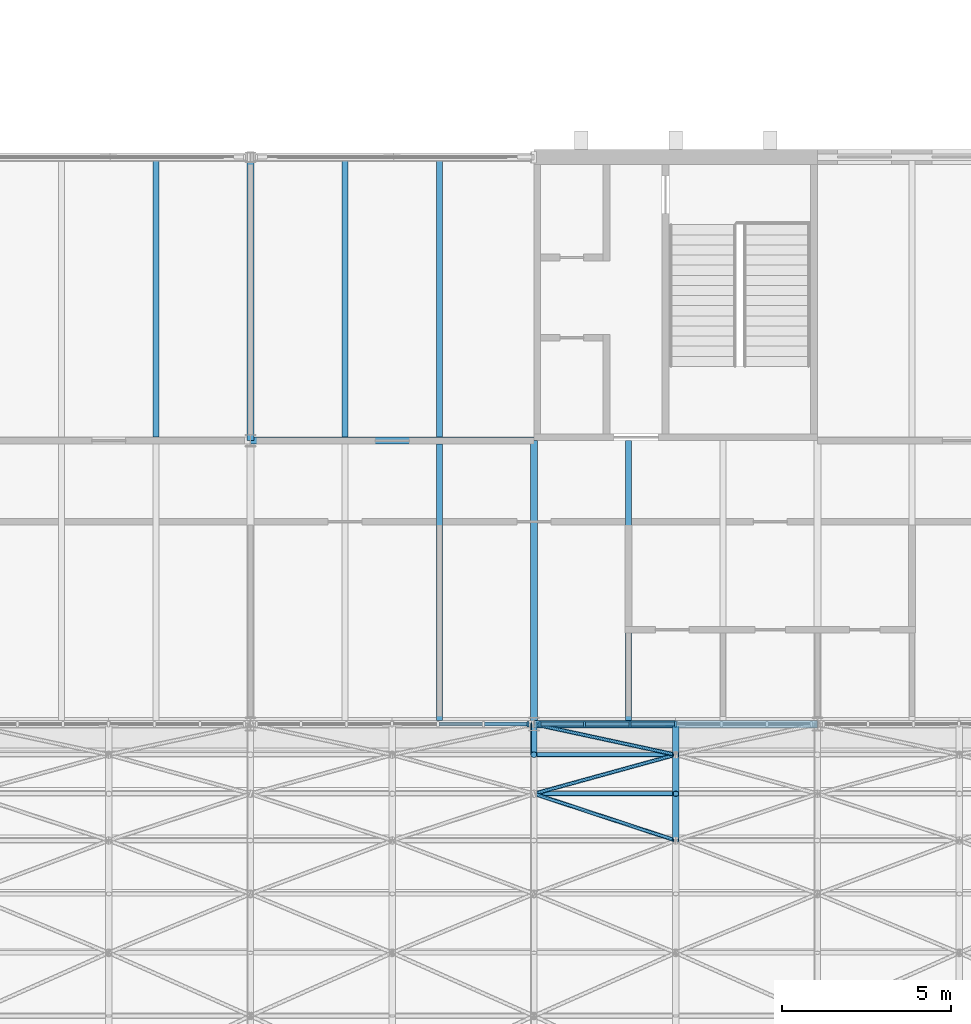
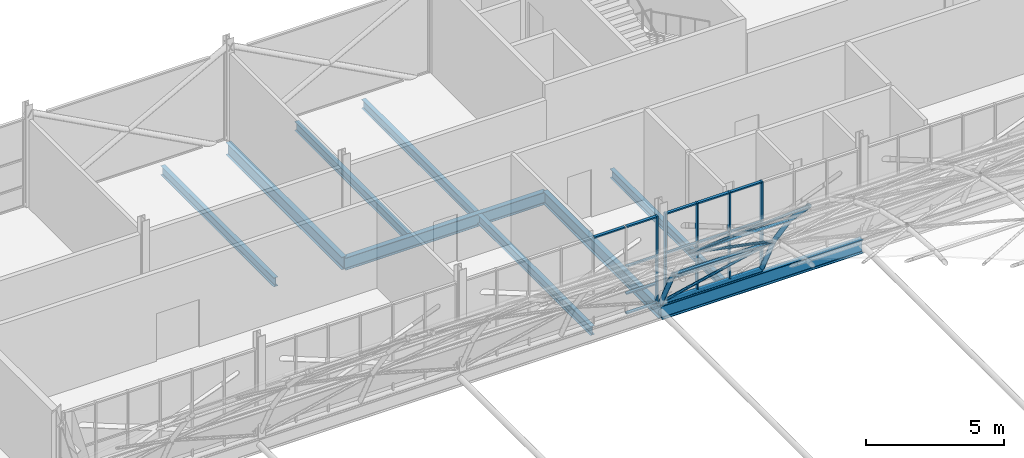
# One storey, part 48 of 121: 32 members, 9 beams, 2 elements without a shape of their own.
"""IFC4 building model written with IfcOpenShell, lengths in metres."""

from ifc_helpers import new_model, si_unit, direction, frame, origin, origin_2d, place, context, subcontext, project, spatial, rectangle, hollow_circle, i_section, extrude, material, layer, layer_set, material_profile, profile_set, type_object, element, aggregate, save


model = new_model("IFC4")

# Units and contexts
model_context = context("Model", 3, precision=1e-05, world=origin(), true_north=direction((0.0, 1.0)))
body_context = subcontext(model_context, "Body", "Model", "MODEL_VIEW")
ifc_project = project(units=[si_unit("LENGTHUNIT", "METRE"), si_unit("AREAUNIT", "SQUARE_METRE"), si_unit("VOLUMEUNIT", "CUBIC_METRE"), si_unit("PLANEANGLEUNIT", "RADIAN"), si_unit("MASSUNIT", "GRAM", prefix="KILO")], contexts=[model_context])

# Site, building, storey
site_placement = place(None, origin())
site = spatial("IfcSite", under=ifc_project, at=site_placement, CompositionType="ELEMENT")
building_placement = place(site_placement, origin())
building = spatial("IfcBuilding", under=site, at=building_placement, Name="Ardhachandra Cancer Care Centre", CompositionType="ELEMENT")
storey_placement = place(building_placement, frame((0.0, 0.0, 9.0)))
storey = spatial("IfcBuildingStorey", under=building, at=storey_placement, Name="L02", CompositionType="ELEMENT", Elevation=9.0)

# Beams
ifc_material_1 = material(Name="Steel E350 (IS 2062)", Category="steel")
ifc_material_profile_1 = material_profile(ifc_material_1, i_section(OverallWidth=0.179931640625, OverallDepth=0.39990234375, WebThickness=0.008544921875, FlangeThickness=0.013427734375, FilletRadius=0.02099609375, at=origin_2d()), Name="NPB 400x180x66.30")
ifc_profile_set_1 = profile_set([ifc_material_profile_1], Name="Steel E350 (IS 2062)")
beam_type_1 = type_object("IfcBeamType", Name="Beam NPB 400x180x66.30", PredefinedType="BEAM", material=ifc_profile_set_1)
for number, where, z_axis, x_axis, name in (
    (1, (58.39990234375, 88.304931640625, -0.35009765625), (0.0, 1.0, 0.0), (-1.0, 0.0, 0.0), "Secondary K6-L6@5600"),
    (2, (64.0, 88.304931640625, -0.35009765625), (0.0, 1.0, 0.0), (-1.0, 0.0, 0.0), "Secondary K7-L7@2800"),
):
    element("IfcBeam", number, at=place(storey_placement, frame(where, z_axis=z_axis, x_axis=x_axis)), inside=storey, type_object=beam_type_1, Name=name, PredefinedType="BEAM", context=body_context, shape_type="SweptSolid", body=[
        extrude(i_section(OverallWidth=0.179931640625, OverallDepth=0.39990234375, WebThickness=0.008544921875, FlangeThickness=0.013427734375, FilletRadius=0.02099609375, at=origin_2d()), origin(), (0.0, 0.0, 1.0), 8.195068359375),
    ])
beam_1_placement = place(storey_placement, frame((66.800048828125, 79.912109375, -0.35009765625), z_axis=(0.0, 1.0, 0.0), x_axis=(-1.0, 0.0, 0.0)))
element("IfcBeam", 3, at=beam_1_placement, inside=storey, type_object=beam_type_1, Name="Secondary J7-K7@5600", PredefinedType="BEAM", context=body_context, shape_type="SweptSolid", body=[
    extrude(i_section(OverallWidth=0.179931640625, OverallDepth=0.39990234375, WebThickness=0.008544921875, FlangeThickness=0.013427734375, FilletRadius=0.02099609375, at=origin_2d()), origin(), (0.0, 0.0, 1.0), 8.182861328125),
])
beam_2_placement = place(storey_placement, frame((66.800048828125, 88.304931640625, -0.35009765625), z_axis=(0.0, 1.0, 0.0), x_axis=(-1.0, 0.0, 0.0)))
element("IfcBeam", 4, at=beam_2_placement, inside=storey, type_object=beam_type_1, Name="Secondary K7-L7@5600", PredefinedType="BEAM", context=body_context, shape_type="SweptSolid", body=[
    extrude(i_section(OverallWidth=0.179931640625, OverallDepth=0.39990234375, WebThickness=0.008544921875, FlangeThickness=0.013427734375, FilletRadius=0.02099609375, at=origin_2d()), origin(), (0.0, 0.0, 1.0), 8.195068359375),
])
beam_3_placement = place(storey_placement, frame((72.39990234375, 79.912109375, -0.35009765625), z_axis=(0.0, 1.0, 0.0), x_axis=(-1.0, 0.0, 0.0)))
element("IfcBeam", 5, at=beam_3_placement, inside=storey, type_object=beam_type_1, Name="Secondary J8-K8@2800", PredefinedType="BEAM", context=body_context, shape_type="SweptSolid", body=[
    extrude(i_section(OverallWidth=0.179931640625, OverallDepth=0.39990234375, WebThickness=0.008544921875, FlangeThickness=0.013427734375, FilletRadius=0.02099609375, at=origin_2d()), origin(), (0.0, 0.0, 1.0), 8.287841796875),
])
ifc_material_2 = material(Name="Steel E350 (IS 2062)", Category="steel")
ifc_material_profile_2 = material_profile(ifc_material_2, i_section(OverallWidth=0.2099609375, OverallDepth=0.550048828125, WebThickness=0.010986328125, FlangeThickness=0.01708984375, FilletRadius=0.02392578125, at=origin_2d()), Name="NPB 550x210x105.52")
ifc_profile_set_2 = profile_set([ifc_material_profile_2], Name="Steel E350 (IS 2062)")
beam_type_2 = type_object("IfcBeamType", Name="Beam NPB 550x210x105.52", PredefinedType="BEAM", material=ifc_profile_set_2)
for number, where, z_axis, x_axis, name in (
    (6, (61.199951171875, 88.199951171875, -0.425048828125), (1.0, 0.0, 0.0), (0.0, 1.0, 0.0), "Girder K7-K8"),
    (7, (61.199951171875, 88.199951171875, -0.425048828125), (0.0, 1.0, 0.0), (-1.0, 0.0, 0.0), "Girder K7-L7"),
):
    element("IfcBeam", number, at=place(storey_placement, frame(where, z_axis=z_axis, x_axis=x_axis)), inside=storey, type_object=beam_type_2, Name=name, PredefinedType="BEAM", context=body_context, shape_type="SweptSolid", body=[
        extrude(i_section(OverallWidth=0.2099609375, OverallDepth=0.550048828125, WebThickness=0.010986328125, FlangeThickness=0.01708984375, FilletRadius=0.02392578125, at=origin_2d()), origin(), (0.0, 0.0, 1.0), 8.400146484375),
    ])
beam_4_placement = place(storey_placement, frame((69.60009765625, 79.800048828125, -0.425048828125), z_axis=(0.0, 1.0, 0.0), x_axis=(-1.0, 0.0, 0.0)))
element("IfcBeam", 8, at=beam_4_placement, inside=storey, type_object=beam_type_2, Name="Girder J8-K8", PredefinedType="BEAM", context=body_context, shape_type="SweptSolid", body=[
    extrude(i_section(OverallWidth=0.2099609375, OverallDepth=0.550048828125, WebThickness=0.010986328125, FlangeThickness=0.01708984375, FilletRadius=0.02392578125, at=origin_2d()), origin(), (0.0, 0.0, 1.0), 8.39990234375),
])
ifc_material_3 = material(Name="Steel E350 (IS 2062)", Category="steel")
ifc_material_profile_3 = material_profile(ifc_material_3, i_section(OverallWidth=0.22412109375, OverallDepth=0.610107421875, WebThickness=0.014892578125, FlangeThickness=0.02392578125, FilletRadius=0.02392578125, at=origin_2d()), Name="NPB 600x220x154.46")
ifc_profile_set_3 = profile_set([ifc_material_profile_3], Name="Steel E350 (IS 2062)")
beam_type_3 = type_object("IfcBeamType", Name="Beam NPB 600x220x154.46", PredefinedType="BEAM", material=ifc_profile_set_3)
beam_5_placement = place(storey_placement, frame((69.60009765625, 79.800048828125, -0.41455078125), z_axis=(1.0, 0.0, 0.0), x_axis=(0.0, 1.0, 0.0)))
element("IfcBeam", 9, at=beam_5_placement, inside=storey, type_object=beam_type_3, Name="Shell edge beam J8-J9", PredefinedType="BEAM", context=body_context, shape_type="SweptSolid", body=[
    extrude(i_section(OverallWidth=0.22412109375, OverallDepth=0.610107421875, WebThickness=0.014892578125, FlangeThickness=0.02392578125, FilletRadius=0.02392578125, at=origin_2d()), origin(), (0.0, 0.0, 1.0), 8.39990234375),
])

# Curtain wall, member
ifc_material_4 = material(Name="Aluminium extrusion", Category="aluminium")
ifc_layer = layer(ifc_material_4, 0.14990234375)
ifc_layer_set = layer_set([ifc_layer], Name="Aluminium extrusion")
curtain_wall_type = type_object("IfcCurtainWallType", Name="Curtain wall run", PredefinedType="NOTDEFINED", material=ifc_layer_set)
curtain_wall_1_placement = place(storey_placement, origin())
curtain_wall_1 = element("IfcCurtainWall", 10, at=curtain_wall_1_placement, inside=storey, type_object=curtain_wall_type, Name="Curtain wall L02 s/0061200_0079800", PredefinedType="NOTDEFINED")
ifc_material_5 = material(Name="Aluminium extrusion", Category="aluminium")
ifc_material_profile_4 = material_profile(ifc_material_5, rectangle(XDim=0.159912109375, YDim=0.06005859375, at=origin_2d()), Name="Curtain wall mullion 60 x 160")
ifc_profile_set_4 = profile_set([ifc_material_profile_4], Name="Aluminium extrusion")
member_type_1 = type_object("IfcMemberType", Name="Curtain wall mullion 60 x 160", PredefinedType="MULLION", material=ifc_profile_set_4)
member_1_placement = place(storey_placement, frame((69.419921875, 79.800048828125, 0.0), z_axis=(0.0, 0.0, 1.0), x_axis=(0.0, 1.0, 0.0)))
member_1 = element("IfcMember", 11, at=member_1_placement, type_object=member_type_1, Name="CW mullion 7", PredefinedType="MULLION", context=body_context, shape_type="SweptSolid", body=[
    extrude(rectangle(XDim=0.159912109375, YDim=0.06005859375, at=origin_2d()), origin(), (0.0, 0.0, 1.0), 3.885986328125),
])

# Curtain wall, members
curtain_wall_2_placement = place(storey_placement, origin())
curtain_wall_2 = element("IfcCurtainWall", 12, at=curtain_wall_2_placement, inside=storey, type_object=curtain_wall_type, Name="Curtain wall L02 s/0069600_0079800", PredefinedType="NOTDEFINED")
member_2_placement = place(storey_placement, frame((69.780029296875, 79.800048828125, 0.0), z_axis=(0.0, 0.0, 1.0), x_axis=(0.0, 1.0, 0.0)))
member_2 = element("IfcMember", 13, at=member_2_placement, type_object=member_type_1, Name="CW mullion 1", PredefinedType="MULLION", context=body_context, shape_type="SweptSolid", body=[
    extrude(rectangle(XDim=0.159912109375, YDim=0.06005859375, at=origin_2d()), origin(), (0.0, 0.0, 1.0), 3.885986328125),
])
member_3_placement = place(storey_placement, frame((71.10009765625, 79.800048828125, 0.0), z_axis=(0.0, 0.0, 1.0), x_axis=(0.0, 1.0, 0.0)))
member_3 = element("IfcMember", 14, at=member_3_placement, type_object=member_type_1, Name="CW mullion 2", PredefinedType="MULLION", context=body_context, shape_type="SweptSolid", body=[
    extrude(rectangle(XDim=0.159912109375, YDim=0.06005859375, at=origin_2d()), origin(), (0.0, 0.0, 1.0), 3.885986328125),
])
member_4_placement = place(storey_placement, frame((72.449951171875, 79.800048828125, 0.0), z_axis=(0.0, 0.0, 1.0), x_axis=(0.0, 1.0, 0.0)))
member_4 = element("IfcMember", 15, at=member_4_placement, type_object=member_type_1, Name="CW mullion 3", PredefinedType="MULLION", context=body_context, shape_type="SweptSolid", body=[
    extrude(rectangle(XDim=0.159912109375, YDim=0.06005859375, at=origin_2d()), origin(), (0.0, 0.0, 1.0), 3.885986328125),
])
member_5_placement = place(storey_placement, frame((73.800048828125, 79.800048828125, 0.0), z_axis=(0.0, 0.0, 1.0), x_axis=(0.0, 1.0, 0.0)))
member_5 = element("IfcMember", 16, at=member_5_placement, type_object=member_type_1, Name="CW mullion 4", PredefinedType="MULLION", context=body_context, shape_type="SweptSolid", body=[
    extrude(rectangle(XDim=0.159912109375, YDim=0.06005859375, at=origin_2d()), origin(), (0.0, 0.0, 1.0), 3.885986328125),
])

# Member
ifc_material_6 = material(Name="Aluminium extrusion", Category="aluminium")
ifc_material_profile_5 = material_profile(ifc_material_6, rectangle(XDim=0.1201171875, YDim=0.06005859375, at=origin_2d()), Name="Curtain wall transom 60 x 120")
ifc_profile_set_5 = profile_set([ifc_material_profile_5], Name="Aluminium extrusion")
member_type_2 = type_object("IfcMemberType", Name="Curtain wall transom 60 x 120", PredefinedType="USERDEFINED", material=ifc_profile_set_5)
member_6_placement = place(storey_placement, frame((66.780029296875, 79.800048828125, 3.85595703125), z_axis=(1.0, 0.0, 0.0), x_axis=(0.0, 1.0, 0.0)))
member_6 = element("IfcMember", 17, at=member_6_placement, type_object=member_type_2, Name="CW transom 5.4", ObjectType="TRANSOM", PredefinedType="USERDEFINED", context=body_context, shape_type="SweptSolid", body=[
    extrude(rectangle(XDim=0.1201171875, YDim=0.06005859375, at=origin_2d()), origin(), (0.0, 0.0, 1.0), 1.2900390625),
])

member_7_placement = place(storey_placement, frame((68.1298828125, 79.800048828125, 0.030029296875), z_axis=(1.0, 0.0, 0.0), x_axis=(0.0, 1.0, 0.0)))
member_7 = element("IfcMember", 18, at=member_7_placement, type_object=member_type_2, Name="CW transom 6.1", ObjectType="TRANSOM", PredefinedType="USERDEFINED", context=body_context, shape_type="SweptSolid", body=[
    extrude(rectangle(XDim=0.1201171875, YDim=0.06005859375, at=origin_2d()), origin(), (0.0, 0.0, 1.0), 1.260009765625),
])

member_8_placement = place(storey_placement, frame((68.1298828125, 79.800048828125, 0.89990234375), z_axis=(1.0, 0.0, 0.0), x_axis=(0.0, 1.0, 0.0)))
member_8 = element("IfcMember", 19, at=member_8_placement, type_object=member_type_2, Name="CW transom 6.2", ObjectType="TRANSOM", PredefinedType="USERDEFINED", context=body_context, shape_type="SweptSolid", body=[
    extrude(rectangle(XDim=0.1201171875, YDim=0.06005859375, at=origin_2d()), origin(), (0.0, 0.0, 1.0), 1.260009765625),
])

member_9_placement = place(storey_placement, frame((68.1298828125, 79.800048828125, 2.10009765625), z_axis=(1.0, 0.0, 0.0), x_axis=(0.0, 1.0, 0.0)))
member_9 = element("IfcMember", 20, at=member_9_placement, type_object=member_type_2, Name="CW transom 6.3", ObjectType="TRANSOM", PredefinedType="USERDEFINED", context=body_context, shape_type="SweptSolid", body=[
    extrude(rectangle(XDim=0.1201171875, YDim=0.06005859375, at=origin_2d()), origin(), (0.0, 0.0, 1.0), 1.260009765625),
])

member_10_placement = place(storey_placement, frame((68.1298828125, 79.800048828125, 3.85595703125), z_axis=(1.0, 0.0, 0.0), x_axis=(0.0, 1.0, 0.0)))
member_10 = element("IfcMember", 21, at=member_10_placement, type_object=member_type_2, Name="CW transom 6.4", ObjectType="TRANSOM", PredefinedType="USERDEFINED", context=body_context, shape_type="SweptSolid", body=[
    extrude(rectangle(XDim=0.1201171875, YDim=0.06005859375, at=origin_2d()), origin(), (0.0, 0.0, 1.0), 1.260009765625),
])

aggregate(curtain_wall_1, [member_1, member_6, member_7, member_8, member_9, member_10])

member_11_placement = place(storey_placement, frame((69.81005859375, 79.800048828125, 0.030029296875), z_axis=(1.0, 0.0, 0.0), x_axis=(0.0, 1.0, 0.0)))
member_11 = element("IfcMember", 22, at=member_11_placement, type_object=member_type_2, Name="CW transom 1.1", ObjectType="TRANSOM", PredefinedType="USERDEFINED", context=body_context, shape_type="SweptSolid", body=[
    extrude(rectangle(XDim=0.1201171875, YDim=0.06005859375, at=origin_2d()), origin(), (0.0, 0.0, 1.0), 1.260009765625),
])

member_12_placement = place(storey_placement, frame((69.81005859375, 79.800048828125, 0.89990234375), z_axis=(1.0, 0.0, 0.0), x_axis=(0.0, 1.0, 0.0)))
member_12 = element("IfcMember", 23, at=member_12_placement, type_object=member_type_2, Name="CW transom 1.2", ObjectType="TRANSOM", PredefinedType="USERDEFINED", context=body_context, shape_type="SweptSolid", body=[
    extrude(rectangle(XDim=0.1201171875, YDim=0.06005859375, at=origin_2d()), origin(), (0.0, 0.0, 1.0), 1.260009765625),
])

member_13_placement = place(storey_placement, frame((69.81005859375, 79.800048828125, 2.10009765625), z_axis=(1.0, 0.0, 0.0), x_axis=(0.0, 1.0, 0.0)))
member_13 = element("IfcMember", 24, at=member_13_placement, type_object=member_type_2, Name="CW transom 1.3", ObjectType="TRANSOM", PredefinedType="USERDEFINED", context=body_context, shape_type="SweptSolid", body=[
    extrude(rectangle(XDim=0.1201171875, YDim=0.06005859375, at=origin_2d()), origin(), (0.0, 0.0, 1.0), 1.260009765625),
])

member_14_placement = place(storey_placement, frame((69.81005859375, 79.800048828125, 3.85595703125), z_axis=(1.0, 0.0, 0.0), x_axis=(0.0, 1.0, 0.0)))
member_14 = element("IfcMember", 25, at=member_14_placement, type_object=member_type_2, Name="CW transom 1.4", ObjectType="TRANSOM", PredefinedType="USERDEFINED", context=body_context, shape_type="SweptSolid", body=[
    extrude(rectangle(XDim=0.1201171875, YDim=0.06005859375, at=origin_2d()), origin(), (0.0, 0.0, 1.0), 1.260009765625),
])

member_15_placement = place(storey_placement, frame((71.1298828125, 79.800048828125, 0.030029296875), z_axis=(1.0, 0.0, 0.0), x_axis=(0.0, 1.0, 0.0)))
member_15 = element("IfcMember", 26, at=member_15_placement, type_object=member_type_2, Name="CW transom 2.1", ObjectType="TRANSOM", PredefinedType="USERDEFINED", context=body_context, shape_type="SweptSolid", body=[
    extrude(rectangle(XDim=0.1201171875, YDim=0.06005859375, at=origin_2d()), origin(), (0.0, 0.0, 1.0), 1.2900390625),
])

member_16_placement = place(storey_placement, frame((71.1298828125, 79.800048828125, 0.89990234375), z_axis=(1.0, 0.0, 0.0), x_axis=(0.0, 1.0, 0.0)))
member_16 = element("IfcMember", 27, at=member_16_placement, type_object=member_type_2, Name="CW transom 2.2", ObjectType="TRANSOM", PredefinedType="USERDEFINED", context=body_context, shape_type="SweptSolid", body=[
    extrude(rectangle(XDim=0.1201171875, YDim=0.06005859375, at=origin_2d()), origin(), (0.0, 0.0, 1.0), 1.2900390625),
])

member_17_placement = place(storey_placement, frame((71.1298828125, 79.800048828125, 2.10009765625), z_axis=(1.0, 0.0, 0.0), x_axis=(0.0, 1.0, 0.0)))
member_17 = element("IfcMember", 28, at=member_17_placement, type_object=member_type_2, Name="CW transom 2.3", ObjectType="TRANSOM", PredefinedType="USERDEFINED", context=body_context, shape_type="SweptSolid", body=[
    extrude(rectangle(XDim=0.1201171875, YDim=0.06005859375, at=origin_2d()), origin(), (0.0, 0.0, 1.0), 1.2900390625),
])

member_18_placement = place(storey_placement, frame((71.1298828125, 79.800048828125, 3.85595703125), z_axis=(1.0, 0.0, 0.0), x_axis=(0.0, 1.0, 0.0)))
member_18 = element("IfcMember", 29, at=member_18_placement, type_object=member_type_2, Name="CW transom 2.4", ObjectType="TRANSOM", PredefinedType="USERDEFINED", context=body_context, shape_type="SweptSolid", body=[
    extrude(rectangle(XDim=0.1201171875, YDim=0.06005859375, at=origin_2d()), origin(), (0.0, 0.0, 1.0), 1.2900390625),
])

member_19_placement = place(storey_placement, frame((72.47998046875, 79.800048828125, 0.030029296875), z_axis=(1.0, 0.0, 0.0), x_axis=(0.0, 1.0, 0.0)))
member_19 = element("IfcMember", 30, at=member_19_placement, type_object=member_type_2, Name="CW transom 3.1", ObjectType="TRANSOM", PredefinedType="USERDEFINED", context=body_context, shape_type="SweptSolid", body=[
    extrude(rectangle(XDim=0.1201171875, YDim=0.06005859375, at=origin_2d()), origin(), (0.0, 0.0, 1.0), 1.2900390625),
])

member_20_placement = place(storey_placement, frame((72.47998046875, 79.800048828125, 0.89990234375), z_axis=(1.0, 0.0, 0.0), x_axis=(0.0, 1.0, 0.0)))
member_20 = element("IfcMember", 31, at=member_20_placement, type_object=member_type_2, Name="CW transom 3.2", ObjectType="TRANSOM", PredefinedType="USERDEFINED", context=body_context, shape_type="SweptSolid", body=[
    extrude(rectangle(XDim=0.1201171875, YDim=0.06005859375, at=origin_2d()), origin(), (0.0, 0.0, 1.0), 1.2900390625),
])

member_21_placement = place(storey_placement, frame((72.47998046875, 79.800048828125, 2.10009765625), z_axis=(1.0, 0.0, 0.0), x_axis=(0.0, 1.0, 0.0)))
member_21 = element("IfcMember", 32, at=member_21_placement, type_object=member_type_2, Name="CW transom 3.3", ObjectType="TRANSOM", PredefinedType="USERDEFINED", context=body_context, shape_type="SweptSolid", body=[
    extrude(rectangle(XDim=0.1201171875, YDim=0.06005859375, at=origin_2d()), origin(), (0.0, 0.0, 1.0), 1.2900390625),
])

member_22_placement = place(storey_placement, frame((72.47998046875, 79.800048828125, 3.85595703125), z_axis=(1.0, 0.0, 0.0), x_axis=(0.0, 1.0, 0.0)))
member_22 = element("IfcMember", 33, at=member_22_placement, type_object=member_type_2, Name="CW transom 3.4", ObjectType="TRANSOM", PredefinedType="USERDEFINED", context=body_context, shape_type="SweptSolid", body=[
    extrude(rectangle(XDim=0.1201171875, YDim=0.06005859375, at=origin_2d()), origin(), (0.0, 0.0, 1.0), 1.2900390625),
])

aggregate(curtain_wall_2, [member_2, member_3, member_4, member_5, member_11, member_12, member_13, member_14, member_15, member_16, member_17, member_18, member_19, member_20, member_21, member_22])

# Members
ifc_material_7 = material(Name="Steel E350 (IS 2062)", Category="steel")
ifc_material_profile_6 = material_profile(ifc_material_7, hollow_circle(Radius=0.05712890625, WallThickness=0.0048828125, at=origin_2d()), Name="CHS 114.3x5.0")
ifc_profile_set_6 = profile_set([ifc_material_profile_6], Name="Steel E350 (IS 2062)")
member_type_3 = type_object("IfcMemberType", Name="Hall shell Diagonal CHS 114.3x5.0", PredefinedType="BRACE", material=ifc_profile_set_6)
for number, where, z_axis, x_axis, name in (
    (34, (73.800048828125, 76.353515625, 4.8759765625), (-0.902457097304, 0.297496610987, -0.311555699639), (-0.313079224057, -0.949727013128, 0.0), "Hall shell diagonal 07-13"),
    (35, (69.60009765625, 77.738037109375, 3.426025390625), (0.902461325562, 0.248605721202, -0.351793620253), (-0.265582388334, 0.964088167652, 0.0), "Hall shell diagonal 06-14"),
    (36, (73.800048828125, 78.89501953125, 1.788818359375), (-0.902463534711, 0.194467960424, -0.384371930409), (-0.210650483477, -0.977561442474, 0.0), "Hall shell diagonal 07-15"),
):
    element("IfcMember", number, at=place(storey_placement, frame(where, z_axis=z_axis, x_axis=x_axis)), inside=storey, type_object=member_type_3, Name=name, PredefinedType="BRACE", context=body_context, shape_type="SweptSolid", body=[
        extrude(hollow_circle(Radius=0.05712890625, WallThickness=0.0048828125, at=origin_2d()), origin(), (0.0, 0.0, 1.0), 4.65380859375),
    ])
ifc_material_8 = material(Name="Steel E350 (IS 2062)", Category="steel")
ifc_material_profile_7 = material_profile(ifc_material_8, hollow_circle(Radius=0.06982421875, WallThickness=0.0048828125, at=origin_2d()), Name="CHS 139.7x5.0")
ifc_profile_set_7 = profile_set([ifc_material_profile_7], Name="Steel E350 (IS 2062)")
member_type_4 = type_object("IfcMemberType", Name="Hall shell Purlin CHS 139.7x5.0", PredefinedType="PURLIN", material=ifc_profile_set_7)
for number, where, z_axis, x_axis, name in (
    (37, (69.60009765625, 77.738037109375, 3.426025390625), (1.0, 0.0, 0.0), (0.0, 1.0, 0.0), "Hall shell purlin 06-14"),
    (38, (69.60009765625, 78.89501953125, 1.788818359375), (1.0, 0.0, 0.0), (0.0, 1.0, 0.0), "Hall shell purlin 06-15"),
):
    element("IfcMember", number, at=place(storey_placement, frame(where, z_axis=z_axis, x_axis=x_axis)), inside=storey, type_object=member_type_4, Name=name, PredefinedType="PURLIN", context=body_context, shape_type="SweptSolid", body=[
        extrude(hollow_circle(Radius=0.06982421875, WallThickness=0.0048828125, at=origin_2d()), origin(), (0.0, 0.0, 1.0), 4.199951171875),
    ])
ifc_material_9 = material(Name="Steel E350 (IS 2062)", Category="steel")
ifc_material_profile_8 = material_profile(ifc_material_9, hollow_circle(Radius=0.109619140625, WallThickness=0.008056640625, at=origin_2d()), Name="CHS 219.1x8.0")
ifc_profile_set_8 = profile_set([ifc_material_profile_8], Name="Steel E350 (IS 2062)")
member_type_5 = type_object("IfcMemberType", Name="Hall shell Purlin CHS 219.1x8.0", PredefinedType="PURLIN", material=ifc_profile_set_8)
member_23_placement = place(storey_placement, frame((69.60009765625, 79.800048828125, 0.0), z_axis=(1.0, 0.0, 0.0), x_axis=(0.0, 1.0, 0.0)))
element("IfcMember", 39, at=member_23_placement, inside=storey, type_object=member_type_5, Name="Hall shell purlin 06-16", PredefinedType="PURLIN", context=body_context, shape_type="SweptSolid", body=[
    extrude(hollow_circle(Radius=0.109619140625, WallThickness=0.008056640625, at=origin_2d()), origin(), (0.0, 0.0, 1.0), 4.199951171875),
])
ifc_material_10 = material(Name="Steel E350 (IS 2062)", Category="steel")
ifc_material_profile_9 = material_profile(ifc_material_10, hollow_circle(Radius=0.096923828125, WallThickness=0.008056640625, at=origin_2d()), Name="CHS 193.7x8.0")
ifc_profile_set_9 = profile_set([ifc_material_profile_9], Name="Steel E350 (IS 2062)")
member_type_6 = type_object("IfcMemberType", Name="Hall shell Rib CHS 193.7x8.0", PredefinedType="RAFTER", material=ifc_profile_set_9)
member_24_placement = place(storey_placement, frame((69.60009765625, 78.89501953125, 1.788818359375), z_axis=(0.0, 0.451446595645, -0.892298140355), x_axis=(-1.0, 0.0, 0.0)))
element("IfcMember", 40, at=member_24_placement, inside=storey, type_object=member_type_6, Name="Hall shell rib 06-15", PredefinedType="RAFTER", context=body_context, shape_type="SweptSolid", body=[
    extrude(hollow_circle(Radius=0.096923828125, WallThickness=0.008056640625, at=origin_2d()), origin(), (0.0, 0.0, 1.0), 2.004638671875),
])
member_25_placement = place(storey_placement, frame((73.800048828125, 76.353515625, 4.8759765625), z_axis=(0.0, 0.690600278641, -0.723236652239), x_axis=(-1.0, 0.0, 0.0)))
element("IfcMember", 41, at=member_25_placement, inside=storey, type_object=member_type_6, Name="Hall shell rib 07-13", PredefinedType="RAFTER", context=body_context, shape_type="SweptSolid", body=[
    extrude(hollow_circle(Radius=0.096923828125, WallThickness=0.008056640625, at=origin_2d()), origin(), (0.0, 0.0, 1.0), 2.0048828125),
])
for number, where, z_axis, x_axis, name in (
    (42, (73.800048828125, 77.738037109375, 3.426025390625), (0.0, 0.577118207202, -0.816660624076), (-1.0, 0.0, 0.0), "Hall shell rib 07-14"),
    (43, (73.800048828125, 78.89501953125, 1.788818359375), (0.0, 0.451446595645, -0.892298140355), (-1.0, 0.0, 0.0), "Hall shell rib 07-15"),
):
    element("IfcMember", number, at=place(storey_placement, frame(where, z_axis=z_axis, x_axis=x_axis)), inside=storey, type_object=member_type_6, Name=name, PredefinedType="RAFTER", context=body_context, shape_type="SweptSolid", body=[
        extrude(hollow_circle(Radius=0.096923828125, WallThickness=0.008056640625, at=origin_2d()), origin(), (0.0, 0.0, 1.0), 2.004638671875),
    ])

save(model, "model.ifc")
